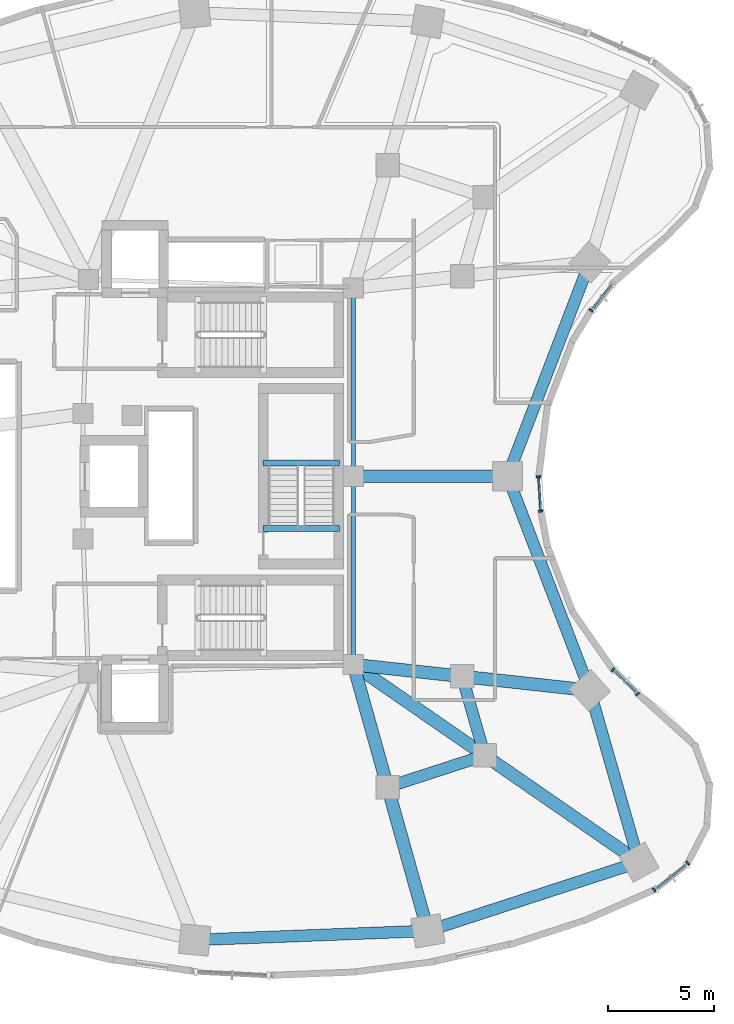
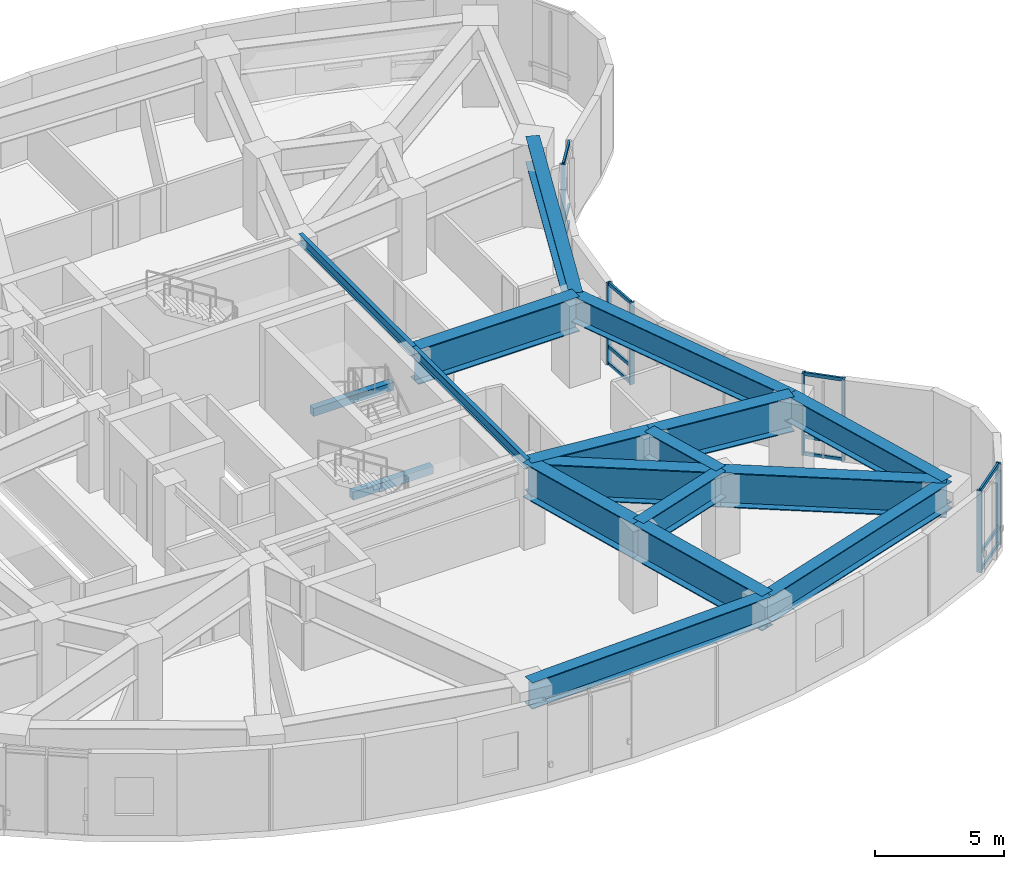
# One storey, part 3 of 13: 19 members, 18 beams, 4 elements without a shape of their own.
"""IFC4 building model written with IfcOpenShell, lengths in metres."""

from ifc_helpers import new_model, si_unit, direction, frame, origin, origin_2d, place, context, subcontext, project, spatial, rectangle, i_section, extrude, material, layer, layer_set, material_profile, profile_set, type_object, element, aggregate, save


model = new_model("IFC4")

# Units and contexts
model_context = context("Model", 3, precision=1e-05, world=origin(), true_north=direction((0.0, 1.0)))
body_context = subcontext(model_context, "Body", "Model", "MODEL_VIEW")
ifc_project = project(units=[si_unit("LENGTHUNIT", "METRE"), si_unit("AREAUNIT", "SQUARE_METRE"), si_unit("VOLUMEUNIT", "CUBIC_METRE"), si_unit("PLANEANGLEUNIT", "RADIAN"), si_unit("MASSUNIT", "GRAM", prefix="KILO")], contexts=[model_context])

# Site, building, storey
site_placement = place(None, origin())
site = spatial("IfcSite", under=ifc_project, at=site_placement, CompositionType="ELEMENT")
building_placement = place(site_placement, origin())
building = spatial("IfcBuilding", under=site, at=building_placement, Name="Korentha Bioscience Tower", CompositionType="ELEMENT")
storey_placement = place(building_placement, frame((0.0, 0.0, 80.39990234375)))
storey = spatial("IfcBuildingStorey", under=building, at=storey_placement, Name="L18", CompositionType="ELEMENT", Elevation=80.39990234375)

# Beams
ifc_material_1 = material(Name="Concrete C50", Category="concrete")
ifc_material_profile_1 = material_profile(ifc_material_1, rectangle(XDim=0.280029296875, YDim=0.3798828125, at=origin_2d()), Name="Concrete C50")
ifc_profile_set_1 = profile_set([ifc_material_profile_1], Name="Concrete C50 (ST-HB380)")
beam_type_1 = type_object("IfcBeamType", Name="Concrete Stair Header Beam RC 280x380", PredefinedType="BEAM", material=ifc_profile_set_1)
for number, where, z_axis, x_axis, name in (
    (1, (36.89990234375, 24.550048828125, -0.18994140625), (-1.0, 0.0, 0.0), (0.0, -1.0, 0.0), "L18 ST-3 Concrete Stair Header Beam"),
    (2, (36.89990234375, 27.6298828125, 1.91015625), (-1.0, 0.0, 0.0), (0.0, -1.0, 0.0), "L18 ST-3 Half-Landing Header Beam 1"),
):
    element("IfcBeam", number, at=place(storey_placement, frame(where, z_axis=z_axis, x_axis=x_axis)), inside=storey, type_object=beam_type_1, Name=name, PredefinedType="BEAM", context=body_context, shape_type="SweptSolid", body=[
        extrude(rectangle(XDim=0.280029296875, YDim=0.3798828125, at=origin_2d()), origin(), (0.0, 0.0, 1.0), 3.599853515625),
    ])
ifc_material_2 = material(Name="Steel S355", Category="steel")
ifc_material_profile_2 = material_profile(ifc_material_2, i_section(OverallWidth=0.550048828125, OverallDepth=1.25, WebThickness=0.02392578125, FlangeThickness=0.0400390625, at=origin_2d()), Name="Steel S355")
ifc_profile_set_2 = profile_set([ifc_material_profile_2], Name="Steel S355 (TG-03)")
beam_type_2 = type_object("IfcBeamType", Name="Crown Step Transfer Girder CVS 1250x510", PredefinedType="USERDEFINED", material=ifc_profile_set_2)
beam_1_placement = place(storey_placement, frame((39.1611328125, 12.392333984375, 3.255126953125), z_axis=(0.950877001105, 0.309568940253, 0.0), x_axis=(-0.309568940253, 0.950877001105, 0.0)))
element("IfcBeam", 3, at=beam_1_placement, inside=storey, type_object=beam_type_2, Name="L18 Mid-Ring Tie Girder 12", ObjectType="TRANSFER_GIRDER", PredefinedType="USERDEFINED", context=body_context, shape_type="SweptSolid", body=[
    extrude(i_section(OverallWidth=0.550048828125, OverallDepth=1.25, WebThickness=0.02392578125, FlangeThickness=0.0400390625, at=origin_2d()), origin(), (0.0, 0.0, 1.0), 4.80126953125),
])
beam_2_placement = place(storey_placement, frame((43.7265625, 13.878662109375, 3.255126953125), z_axis=(-0.27560557792, 0.961270807535, 0.0), x_axis=(-0.961270807535, -0.27560557792, 0.0)))
element("IfcBeam", 4, at=beam_2_placement, inside=storey, type_object=beam_type_2, Name="L18 Mid-Ring Tie Girder 13", ObjectType="TRANSFER_GIRDER", PredefinedType="USERDEFINED", context=body_context, shape_type="SweptSolid", body=[
    extrude(i_section(OverallWidth=0.550048828125, OverallDepth=1.25, WebThickness=0.02392578125, FlangeThickness=0.0400390625, at=origin_2d()), origin(), (0.0, 0.0, 1.0), 3.864013671875),
])
beam_3_placement = place(storey_placement, frame((30.09423828125, 5.20751953125, 3.255126953125), z_axis=(0.999246003889, 0.03882555488, 0.0), x_axis=(-0.03882555488, 0.999246003889, 0.0)))
element("IfcBeam", 5, at=beam_3_placement, inside=storey, type_object=beam_type_2, Name="L18 Perimeter Spandrel Girder 11", ObjectType="TRANSFER_GIRDER", PredefinedType="USERDEFINED", context=body_context, shape_type="SweptSolid", body=[
    extrude(i_section(OverallWidth=0.550048828125, OverallDepth=1.25, WebThickness=0.02392578125, FlangeThickness=0.0400390625, at=origin_2d()), origin(), (0.0, 0.0, 1.0), 10.966552734375),
])
beam_4_placement = place(storey_placement, frame((41.052490234375, 5.63330078125, 3.255126953125), z_axis=(0.95087511444, 0.309574735305, 0.0), x_axis=(-0.309574735305, 0.95087511444, 0.0)))
element("IfcBeam", 6, at=beam_4_placement, inside=storey, type_object=beam_type_2, Name="L18 Perimeter Spandrel Girder 12", ObjectType="TRANSFER_GIRDER", PredefinedType="USERDEFINED", context=body_context, shape_type="SweptSolid", body=[
    extrude(i_section(OverallWidth=0.550048828125, OverallDepth=1.25, WebThickness=0.02392578125, FlangeThickness=0.0400390625, at=origin_2d()), origin(), (0.0, 0.0, 1.0), 10.4375),
])
beam_5_placement = place(storey_placement, frame((50.977294921875, 8.864501953125, 3.255126953125), z_axis=(-0.275642273411, 0.961260285827, 0.0), x_axis=(-0.961260285827, -0.275642273411, 0.0)))
element("IfcBeam", 7, at=beam_5_placement, inside=storey, type_object=beam_type_2, Name="L18 Perimeter Spandrel Girder 13", ObjectType="TRANSFER_GIRDER", PredefinedType="USERDEFINED", context=body_context, shape_type="SweptSolid", body=[
    extrude(i_section(OverallWidth=0.550048828125, OverallDepth=1.25, WebThickness=0.02392578125, FlangeThickness=0.0400390625, at=origin_2d()), origin(), (0.0, 0.0, 1.0), 8.400146484375),
])
for number, where, z_axis, x_axis, name in (
    (8, (48.661865234375, 16.939208984375, 3.255126953125), (-0.358473520253, 0.93353989485, 0.0), (-0.93353989485, -0.358473520253, 0.0), "L18 Perimeter Spandrel Girder 14"),
    (9, (44.798583984375, 27.0, 3.255126953125), (0.358473520253, 0.93353989485, 0.0), (-0.93353989485, 0.358473520253, 0.0), "L18 Perimeter Spandrel Girder 15"),
):
    element("IfcBeam", number, at=place(storey_placement, frame(where, z_axis=z_axis, x_axis=x_axis)), inside=storey, type_object=beam_type_2, Name=name, ObjectType="TRANSFER_GIRDER", PredefinedType="USERDEFINED", context=body_context, shape_type="SweptSolid", body=[
        extrude(i_section(OverallWidth=0.550048828125, OverallDepth=1.25, WebThickness=0.02392578125, FlangeThickness=0.0400390625, at=origin_2d()), origin(), (0.0, 0.0, 1.0), 10.777099609375),
    ])
ifc_material_profile_3 = material_profile(ifc_material_2, i_section(OverallWidth=0.60009765625, OverallDepth=1.64990234375, WebThickness=0.02587890625, FlangeThickness=0.0439453125, at=origin_2d()), Name="Steel S355")
ifc_profile_set_3 = profile_set([ifc_material_profile_3], Name="Steel S355 (TG-04)")
beam_type_3 = type_object("IfcBeamType", Name="Deep Setback Transfer Girder CVS 1650x620", PredefinedType="USERDEFINED", material=ifc_profile_set_3)
beam_6_placement = place(storey_placement, frame((37.550048828125, 18.14990234375, 3.05517578125), z_axis=(0.269469369205, -0.963008961049, 0.0), x_axis=(0.963008961049, 0.269469369205, 0.0)))
element("IfcBeam", 10, at=beam_6_placement, inside=storey, type_object=beam_type_3, Name="L18 Inner Radial Transfer Girder 12", ObjectType="TRANSFER_GIRDER", PredefinedType="USERDEFINED", context=body_context, shape_type="SweptSolid", body=[
    extrude(i_section(OverallWidth=0.60009765625, OverallDepth=1.64990234375, WebThickness=0.02587890625, FlangeThickness=0.0439453125, at=origin_2d()), origin(), (0.0, 0.0, 1.0), 5.978759765625),
])
beam_7_placement = place(storey_placement, frame((39.1611328125, 12.392333984375, 3.05517578125), z_axis=(0.269475095129, -0.963007358801, 0.0), x_axis=(0.963007358801, 0.269475095129, 0.0)))
element("IfcBeam", 11, at=beam_7_placement, inside=storey, type_object=beam_type_3, Name="L18 Outer Radial Transfer Girder 12", ObjectType="TRANSFER_GIRDER", PredefinedType="USERDEFINED", context=body_context, shape_type="SweptSolid", body=[
    extrude(i_section(OverallWidth=0.60009765625, OverallDepth=1.64990234375, WebThickness=0.02587890625, FlangeThickness=0.0439453125, at=origin_2d()), origin(), (0.0, 0.0, 1.0), 7.0185546875),
])
beam_8_placement = place(storey_placement, frame((37.550048828125, 18.14990234375, 3.05517578125), z_axis=(0.822491697625, -0.568777115694, 0.0), x_axis=(0.568777115694, 0.822491697625, 0.0)))
element("IfcBeam", 12, at=beam_8_placement, inside=storey, type_object=beam_type_3, Name="L18 Inner Radial Transfer Girder 13", ObjectType="TRANSFER_GIRDER", PredefinedType="USERDEFINED", context=body_context, shape_type="SweptSolid", body=[
    extrude(i_section(OverallWidth=0.60009765625, OverallDepth=1.64990234375, WebThickness=0.02587890625, FlangeThickness=0.0439453125, at=origin_2d()), origin(), (0.0, 0.0, 1.0), 7.509521484375),
])
beam_9_placement = place(storey_placement, frame((43.7265625, 13.878662109375, 3.05517578125), z_axis=(0.822488186113, -0.568782193555, 0.0), x_axis=(0.568782193555, 0.822488186113, 0.0)))
element("IfcBeam", 13, at=beam_9_placement, inside=storey, type_object=beam_type_3, Name="L18 Outer Radial Transfer Girder 13", ObjectType="TRANSFER_GIRDER", PredefinedType="USERDEFINED", context=body_context, shape_type="SweptSolid", body=[
    extrude(i_section(OverallWidth=0.60009765625, OverallDepth=1.64990234375, WebThickness=0.02587890625, FlangeThickness=0.0439453125, at=origin_2d()), origin(), (0.0, 0.0, 1.0), 8.815673828125),
])
beam_10_placement = place(storey_placement, frame((37.550048828125, 18.14990234375, 3.05517578125), z_axis=(0.994117709144, -0.10830503389, 0.0), x_axis=(0.10830503389, 0.994117709144, 0.0)))
element("IfcBeam", 14, at=beam_10_placement, inside=storey, type_object=beam_type_3, Name="L18 Inner Radial Transfer Girder 14", ObjectType="TRANSFER_GIRDER", PredefinedType="USERDEFINED", context=body_context, shape_type="SweptSolid", body=[
    extrude(i_section(OverallWidth=0.60009765625, OverallDepth=1.64990234375, WebThickness=0.02587890625, FlangeThickness=0.0439453125, at=origin_2d()), origin(), (0.0, 0.0, 1.0), 5.141845703125),
])
beam_11_placement = place(storey_placement, frame((42.66162109375, 17.593017578125, 3.05517578125), z_axis=(0.994115805925, -0.108322501862, 0.0), x_axis=(0.108322501862, 0.994115805925, 0.0)))
element("IfcBeam", 15, at=beam_11_placement, inside=storey, type_object=beam_type_3, Name="L18 Outer Radial Transfer Girder 14", ObjectType="TRANSFER_GIRDER", PredefinedType="USERDEFINED", context=body_context, shape_type="SweptSolid", body=[
    extrude(i_section(OverallWidth=0.60009765625, OverallDepth=1.64990234375, WebThickness=0.02587890625, FlangeThickness=0.0439453125, at=origin_2d()), origin(), (0.0, 0.0, 1.0), 6.03564453125),
])
beam_12_placement = place(storey_placement, frame((37.550048828125, 27.0, 3.05517578125), z_axis=(1.0, 0.0, 0.0), x_axis=(0.0, 1.0, 0.0)))
element("IfcBeam", 16, at=beam_12_placement, inside=storey, type_object=beam_type_3, Name="L18 Radial Transfer Girder 15", ObjectType="TRANSFER_GIRDER", PredefinedType="USERDEFINED", context=body_context, shape_type="SweptSolid", body=[
    extrude(i_section(OverallWidth=0.60009765625, OverallDepth=1.64990234375, WebThickness=0.02587890625, FlangeThickness=0.0439453125, at=origin_2d()), origin(), (0.0, 0.0, 1.0), 7.24853515625),
])
ifc_material_profile_4 = material_profile(ifc_material_2, i_section(OverallWidth=0.18994140625, OverallDepth=0.45703125, WebThickness=0.009033203125, FlangeThickness=0.014404296875, at=origin_2d()), Name="Steel S355")
ifc_profile_set_4 = profile_set([ifc_material_profile_4], Name="Steel S355 (MB-460)")
beam_type_4 = type_object("IfcBeamType", Name="Mid-Ring Tie Girder W460x74", PredefinedType="BEAM", material=ifc_profile_set_4)
for number, where, z_axis, x_axis, name in (
    (17, (37.550048828125, 18.14990234375, 3.651611328125), (0.0, 1.0, 0.0), (-1.0, 0.0, 0.0), "L18 Core Ring Tie Girder 06"),
    (18, (37.550048828125, 27.0, 3.651611328125), (0.0, 1.0, 0.0), (-1.0, 0.0, 0.0), "L18 Core Ring Tie Girder 07"),
):
    element("IfcBeam", number, at=place(storey_placement, frame(where, z_axis=z_axis, x_axis=x_axis)), inside=storey, type_object=beam_type_4, Name=name, PredefinedType="BEAM", context=body_context, shape_type="SweptSolid", body=[
        extrude(i_section(OverallWidth=0.18994140625, OverallDepth=0.45703125, WebThickness=0.009033203125, FlangeThickness=0.014404296875, at=origin_2d()), origin(), (0.0, 0.0, 1.0), 8.85009765625),
    ])

# Curtain wall, members
ifc_material_3 = material(Name="Thermally Broken Aluminium Frame", Category="aluminium")
ifc_layer_1 = layer(ifc_material_3, 0.219970703125, Name="Thermally Broken Aluminium Frame")
ifc_layer_set_1 = layer_set([ifc_layer_1], Name="Thermally Broken Aluminium Frame (CW-T2)")
curtain_wall_type_1 = type_object("IfcCurtainWallType", Name="Solar-Screened Lab Unitised Curtain Wall CW-T2", PredefinedType="USERDEFINED", material=ifc_layer_set_1)
curtain_wall_1_placement = place(storey_placement, origin())
curtain_wall_1 = element("IfcCurtainWall", 19, at=curtain_wall_1_placement, inside=storey, type_object=curtain_wall_type_1, Name="L18 Curtain Wall 37", ObjectType="UNITISED", PredefinedType="USERDEFINED")
ifc_material_4 = material(Name="Anodised Aluminium 6063-T6", Category="aluminium")
ifc_material_profile_5 = material_profile(ifc_material_4, rectangle(XDim=0.090087890625, YDim=0.199951171875, at=origin_2d()), Name="Anodised Aluminium 6063-T6")
ifc_profile_set_5 = profile_set([ifc_material_profile_5], Name="Anodised Aluminium 6063-T6 (CW-MUL)")
member_type_1 = type_object("IfcMemberType", Name="Mullion RECT 90x200", PredefinedType="MULLION", material=ifc_profile_set_5)
member_1_placement = place(storey_placement, frame((51.6865234375, 7.56298828125, 0.0), z_axis=(0.0, 0.0, 1.0), x_axis=(0.782287851332, 0.62291710336, 0.0)))
member_1 = element("IfcMember", 20, at=member_1_placement, type_object=member_type_1, Name="CW-L18-37 Mullion 1", PredefinedType="MULLION", context=body_context, shape_type="SweptSolid", body=[
    extrude(rectangle(XDim=0.090087890625, YDim=0.199951171875, at=origin_2d()), origin(), (0.0, 0.0, 1.0), 3.880126953125),
])
member_2_placement = place(storey_placement, frame((53.264892578125, 8.81982421875, 0.0), z_axis=(0.0, 0.0, 1.0), x_axis=(0.782287851332, 0.62291710336, 0.0)))
member_2 = element("IfcMember", 21, at=member_2_placement, type_object=member_type_1, Name="CW-L18-37 Mullion 2", PredefinedType="MULLION", context=body_context, shape_type="SweptSolid", body=[
    extrude(rectangle(XDim=0.090087890625, YDim=0.199951171875, at=origin_2d()), origin(), (0.0, 0.0, 1.0), 3.880126953125),
])

curtain_wall_2_placement = place(storey_placement, origin())
curtain_wall_2 = element("IfcCurtainWall", 22, at=curtain_wall_2_placement, inside=storey, type_object=curtain_wall_type_1, Name="L18 Curtain Wall 43", ObjectType="UNITISED", PredefinedType="USERDEFINED")
member_3_placement = place(storey_placement, frame((50.913818359375, 16.76513671875, 0.0), z_axis=(0.0, 0.0, 1.0), x_axis=(-0.713279246754, 0.700879958445, 0.0)))
member_3 = element("IfcMember", 23, at=member_3_placement, type_object=member_type_1, Name="CW-L18-43 Mullion 1", PredefinedType="MULLION", context=body_context, shape_type="SweptSolid", body=[
    extrude(rectangle(XDim=0.090087890625, YDim=0.199951171875, at=origin_2d()), origin(), (0.0, 0.0, 1.0), 3.880126953125),
])
member_4_placement = place(storey_placement, frame((49.752685546875, 17.90625, 0.0), z_axis=(0.0, 0.0, 1.0), x_axis=(-0.713279246754, 0.700879958445, 0.0)))
member_4 = element("IfcMember", 24, at=member_4_placement, type_object=member_type_1, Name="CW-L18-43 Mullion 2", PredefinedType="MULLION", context=body_context, shape_type="SweptSolid", body=[
    extrude(rectangle(XDim=0.090087890625, YDim=0.199951171875, at=origin_2d()), origin(), (0.0, 0.0, 1.0), 3.880126953125),
])

ifc_layer_2 = layer(ifc_material_3, 0.219970703125, Name="Thermally Broken Aluminium Frame")
ifc_layer_set_2 = layer_set([ifc_layer_2], Name="Thermally Broken Aluminium Frame (CW-T1)")
curtain_wall_type_2 = type_object("IfcCurtainWallType", Name="Standard Bioscience Lab Unitised Curtain Wall CW-T1", PredefinedType="USERDEFINED", material=ifc_layer_set_2)
curtain_wall_3_placement = place(storey_placement, origin())
curtain_wall_3 = element("IfcCurtainWall", 25, at=curtain_wall_3_placement, inside=storey, type_object=curtain_wall_type_2, Name="L18 Curtain Wall 49", ObjectType="UNITISED", PredefinedType="USERDEFINED")
member_5_placement = place(storey_placement, frame((46.355712890625, 25.3603515625, 0.0), z_axis=(0.0, 0.0, 1.0), x_axis=(-0.061008272998, 0.998137260413, 0.0)))
member_5 = element("IfcMember", 26, at=member_5_placement, type_object=member_type_1, Name="CW-L18-49 Mullion 1", PredefinedType="MULLION", context=body_context, shape_type="SweptSolid", body=[
    extrude(rectangle(XDim=0.090087890625, YDim=0.199951171875, at=origin_2d()), origin(), (0.0, 0.0, 1.0), 3.880126953125),
])
member_6_placement = place(storey_placement, frame((46.25634765625, 26.985107421875, 0.0), z_axis=(0.0, 0.0, 1.0), x_axis=(-0.061008272998, 0.998137260413, 0.0)))
member_6 = element("IfcMember", 27, at=member_6_placement, type_object=member_type_1, Name="CW-L18-49 Mullion 2", PredefinedType="MULLION", context=body_context, shape_type="SweptSolid", body=[
    extrude(rectangle(XDim=0.090087890625, YDim=0.199951171875, at=origin_2d()), origin(), (0.0, 0.0, 1.0), 3.880126953125),
])

# Curtain wall, member
curtain_wall_4_placement = place(storey_placement, origin())
curtain_wall_4 = element("IfcCurtainWall", 28, at=curtain_wall_4_placement, inside=storey, type_object=curtain_wall_type_1, Name="L18 Curtain Wall 55", ObjectType="UNITISED", PredefinedType="USERDEFINED")
member_7_placement = place(storey_placement, frame((48.719482421875, 34.7978515625, 0.0), z_axis=(0.0, 0.0, 1.0), x_axis=(0.622520324648, 0.782603632371, 0.0)))
member_7 = element("IfcMember", 29, at=member_7_placement, type_object=member_type_1, Name="CW-L18-55 Mullion 1", PredefinedType="MULLION", context=body_context, shape_type="SweptSolid", body=[
    extrude(rectangle(XDim=0.090087890625, YDim=0.199951171875, at=origin_2d()), origin(), (0.0, 0.0, 1.0), 3.880126953125),
])

# Member
ifc_material_profile_6 = material_profile(ifc_material_4, rectangle(XDim=0.090087890625, YDim=0.159912109375, at=origin_2d()), Name="Anodised Aluminium 6063-T6")
ifc_profile_set_6 = profile_set([ifc_material_profile_6], Name="Anodised Aluminium 6063-T6 (CW-TRN)")
member_type_2 = type_object("IfcMemberType", Name="Transom RECT 90x160", PredefinedType="USERDEFINED", material=ifc_profile_set_6)
member_8_placement = place(storey_placement, frame((51.7216796875, 7.591064453125, 0.045166015625), z_axis=(0.78232471634, 0.622870803782, 0.0), x_axis=(-0.622870803782, 0.78232471634, 0.0)))
member_8 = element("IfcMember", 30, at=member_8_placement, type_object=member_type_2, Name="CW-L18-37 Bay 1 Transom 1", ObjectType="TRANSOM", PredefinedType="USERDEFINED", context=body_context, shape_type="SweptSolid", body=[
    extrude(rectangle(XDim=0.090087890625, YDim=0.159912109375, at=origin_2d()), origin(), (0.0, 0.0, 1.0), 1.927734375),
])

member_9_placement = place(storey_placement, frame((51.7216796875, 7.591064453125, 0.85009765625), z_axis=(0.78232471634, 0.622870803782, 0.0), x_axis=(-0.622870803782, 0.78232471634, 0.0)))
member_9 = element("IfcMember", 31, at=member_9_placement, type_object=member_type_2, Name="CW-L18-37 Bay 1 Transom 2", ObjectType="TRANSOM", PredefinedType="USERDEFINED", context=body_context, shape_type="SweptSolid", body=[
    extrude(rectangle(XDim=0.090087890625, YDim=0.159912109375, at=origin_2d()), origin(), (0.0, 0.0, 1.0), 1.927734375),
])

member_10_placement = place(storey_placement, frame((51.7216796875, 7.591064453125, 3.835205078125), z_axis=(0.78232471634, 0.622870803782, 0.0), x_axis=(-0.622870803782, 0.78232471634, 0.0)))
member_10 = element("IfcMember", 32, at=member_10_placement, type_object=member_type_2, Name="CW-L18-37 Bay 1 Transom 3", ObjectType="TRANSOM", PredefinedType="USERDEFINED", context=body_context, shape_type="SweptSolid", body=[
    extrude(rectangle(XDim=0.090087890625, YDim=0.159912109375, at=origin_2d()), origin(), (0.0, 0.0, 1.0), 1.927734375),
])

aggregate(curtain_wall_1, [member_1, member_2, member_8, member_9, member_10])

member_11_placement = place(storey_placement, frame((50.8818359375, 16.796875, 0.045166015625), z_axis=(-0.713350356322, 0.700807583531, 0.0), x_axis=(-0.700807583531, -0.713350356322, 0.0)))
member_11 = element("IfcMember", 33, at=member_11_placement, type_object=member_type_2, Name="CW-L18-43 Bay 1 Transom 1", ObjectType="TRANSOM", PredefinedType="USERDEFINED", context=body_context, shape_type="SweptSolid", body=[
    extrude(rectangle(XDim=0.090087890625, YDim=0.159912109375, at=origin_2d()), origin(), (0.0, 0.0, 1.0), 1.53759765625),
])

member_12_placement = place(storey_placement, frame((50.8818359375, 16.796875, 0.85009765625), z_axis=(-0.713350356322, 0.700807583531, 0.0), x_axis=(-0.700807583531, -0.713350356322, 0.0)))
member_12 = element("IfcMember", 34, at=member_12_placement, type_object=member_type_2, Name="CW-L18-43 Bay 1 Transom 2", ObjectType="TRANSOM", PredefinedType="USERDEFINED", context=body_context, shape_type="SweptSolid", body=[
    extrude(rectangle(XDim=0.090087890625, YDim=0.159912109375, at=origin_2d()), origin(), (0.0, 0.0, 1.0), 1.53759765625),
])

member_13_placement = place(storey_placement, frame((50.8818359375, 16.796875, 3.835205078125), z_axis=(-0.713350356322, 0.700807583531, 0.0), x_axis=(-0.700807583531, -0.713350356322, 0.0)))
member_13 = element("IfcMember", 35, at=member_13_placement, type_object=member_type_2, Name="CW-L18-43 Bay 1 Transom 3", ObjectType="TRANSOM", PredefinedType="USERDEFINED", context=body_context, shape_type="SweptSolid", body=[
    extrude(rectangle(XDim=0.090087890625, YDim=0.159912109375, at=origin_2d()), origin(), (0.0, 0.0, 1.0), 1.53759765625),
])

aggregate(curtain_wall_2, [member_3, member_4, member_11, member_12, member_13])

member_14_placement = place(storey_placement, frame((46.352783203125, 25.4052734375, 0.045166015625), z_axis=(-0.060964804815, 0.998139916331, 0.0), x_axis=(-0.998139916331, -0.060964804815, 0.0)))
member_14 = element("IfcMember", 36, at=member_14_placement, type_object=member_type_2, Name="CW-L18-49 Bay 1 Transom 1", ObjectType="TRANSOM", PredefinedType="USERDEFINED", context=body_context, shape_type="SweptSolid", body=[
    extrude(rectangle(XDim=0.090087890625, YDim=0.159912109375, at=origin_2d()), origin(), (0.0, 0.0, 1.0), 1.537841796875),
])

member_15_placement = place(storey_placement, frame((46.352783203125, 25.4052734375, 0.85009765625), z_axis=(-0.060964804815, 0.998139916331, 0.0), x_axis=(-0.998139916331, -0.060964804815, 0.0)))
member_15 = element("IfcMember", 37, at=member_15_placement, type_object=member_type_2, Name="CW-L18-49 Bay 1 Transom 2", ObjectType="TRANSOM", PredefinedType="USERDEFINED", context=body_context, shape_type="SweptSolid", body=[
    extrude(rectangle(XDim=0.090087890625, YDim=0.159912109375, at=origin_2d()), origin(), (0.0, 0.0, 1.0), 1.537841796875),
])

member_16_placement = place(storey_placement, frame((46.352783203125, 25.4052734375, 3.835205078125), z_axis=(-0.060964804815, 0.998139916331, 0.0), x_axis=(-0.998139916331, -0.060964804815, 0.0)))
member_16 = element("IfcMember", 38, at=member_16_placement, type_object=member_type_2, Name="CW-L18-49 Bay 1 Transom 3", ObjectType="TRANSOM", PredefinedType="USERDEFINED", context=body_context, shape_type="SweptSolid", body=[
    extrude(rectangle(XDim=0.090087890625, YDim=0.159912109375, at=origin_2d()), origin(), (0.0, 0.0, 1.0), 1.537841796875),
])

aggregate(curtain_wall_3, [member_5, member_6, member_14, member_15, member_16])

member_17_placement = place(storey_placement, frame((48.74755859375, 34.8330078125, 0.045166015625), z_axis=(0.622563336945, 0.782569416405, 0.0), x_axis=(-0.782569416405, 0.622563336945, 0.0)))
member_17 = element("IfcMember", 39, at=member_17_placement, type_object=member_type_2, Name="CW-L18-55 Bay 1 Transom 1", ObjectType="TRANSOM", PredefinedType="USERDEFINED", context=body_context, shape_type="SweptSolid", body=[
    extrude(rectangle(XDim=0.090087890625, YDim=0.159912109375, at=origin_2d()), origin(), (0.0, 0.0, 1.0), 1.5380859375),
])

member_18_placement = place(storey_placement, frame((48.74755859375, 34.8330078125, 0.85009765625), z_axis=(0.622563336945, 0.782569416405, 0.0), x_axis=(-0.782569416405, 0.622563336945, 0.0)))
member_18 = element("IfcMember", 40, at=member_18_placement, type_object=member_type_2, Name="CW-L18-55 Bay 1 Transom 2", ObjectType="TRANSOM", PredefinedType="USERDEFINED", context=body_context, shape_type="SweptSolid", body=[
    extrude(rectangle(XDim=0.090087890625, YDim=0.159912109375, at=origin_2d()), origin(), (0.0, 0.0, 1.0), 1.5380859375),
])

member_19_placement = place(storey_placement, frame((48.74755859375, 34.8330078125, 3.835205078125), z_axis=(0.622563336945, 0.782569416405, 0.0), x_axis=(-0.782569416405, 0.622563336945, 0.0)))
member_19 = element("IfcMember", 41, at=member_19_placement, type_object=member_type_2, Name="CW-L18-55 Bay 1 Transom 3", ObjectType="TRANSOM", PredefinedType="USERDEFINED", context=body_context, shape_type="SweptSolid", body=[
    extrude(rectangle(XDim=0.090087890625, YDim=0.159912109375, at=origin_2d()), origin(), (0.0, 0.0, 1.0), 1.5380859375),
])

aggregate(curtain_wall_4, [member_7, member_17, member_18, member_19])

save(model, "model.ifc")
